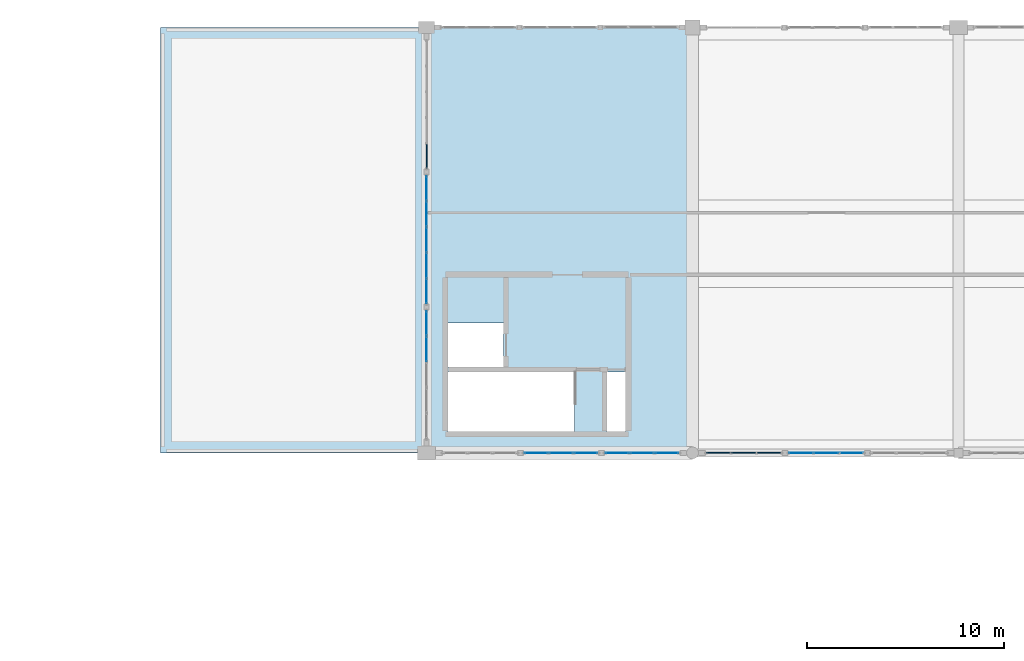
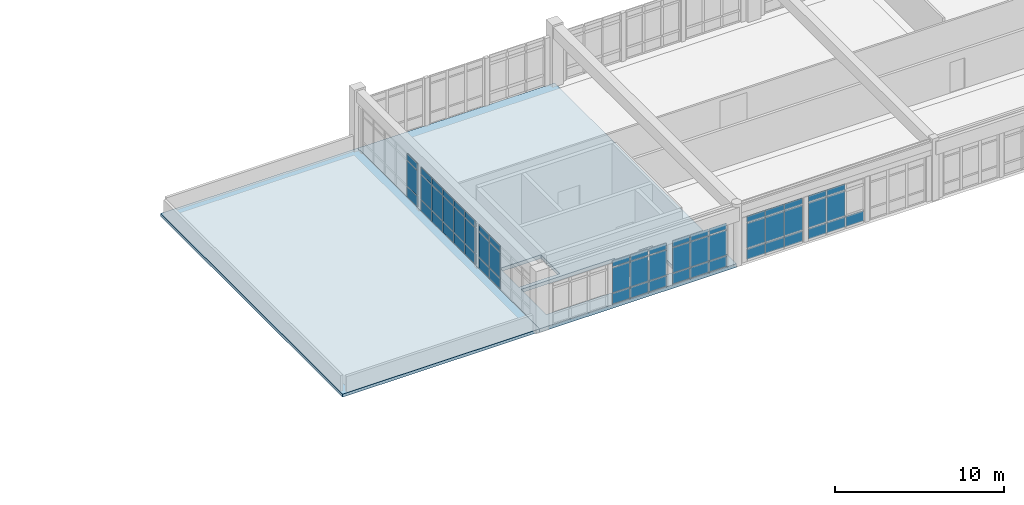
# One storey, part 76 of 109: 58 plates, 2 slabs, 7 elements without a shape of their own.
"""IFC4 building model written with IfcOpenShell, lengths in metres."""

import ifcopenshell
import ifcopenshell.guid

model = None  # the IFC model being written
_history = None  # IfcOwnerHistory: only IFC2X3 demands one
_inside = {}  # id of a spatial element -> (the spatial element, [elements in it])
_under = {}  # id of a project, library or spatial element -> (it, [spatial elements below it])
_declared = {}  # id of a project -> (the project, [libraries it declares])
_typed = {}  # id of a type object -> (the type object, [elements of that type])
_made_of = {}  # id of a material, layer set ... -> (it, [elements and type objects made of it])


def new_model(schema):
    """Start an empty IFC model of exactly this schema.

    Asked for "IFC4X3", IfcOpenShell would pick the latest addendum, in which some entities
    have other attributes; the version numbers below select the first issue.
    IFC2X3 requires an IfcOwnerHistory on every rooted entity: one is made here for all.
    """
    global model, _history
    if schema == "IFC4X3":
        model = ifcopenshell.file(schema_version=(4, 3, 0, 0))
    else:
        model = ifcopenshell.file(schema=schema)
    _inside.clear()
    _under.clear()
    _declared.clear()
    _typed.clear()
    _made_of.clear()
    _history = None
    if model.schema == "IFC2X3":
        org = make("IfcOrganization", Name="unknown")
        user = make(
            "IfcPersonAndOrganization",
            ThePerson=make("IfcPerson", FamilyName="unknown"),
            TheOrganization=org,
        )
        app = make(
            "IfcApplication",
            ApplicationDeveloper=org,
            Version="unknown",
            ApplicationFullName="unknown",
            ApplicationIdentifier="unknown",
        )
        _history = make(
            "IfcOwnerHistory",
            OwningUser=user,
            OwningApplication=app,
            ChangeAction="ADDED",
            CreationDate=0,
        )
    return model


def make(cls, **values):
    """One entity of the class cls with the attributes given. An attribute that is None is left unset."""
    return model.create_entity(
        cls, **{name: value for name, value in values.items() if value is not None}
    )


def rooted(cls, **values):
    """An entity with a GlobalId (a new one), such as an element, a storey or a relation."""
    return make(cls, GlobalId=ifcopenshell.guid.new(), OwnerHistory=_history, **values)


def si_unit(unit_type, name, prefix=None):
    """IfcSIUnit, for example si_unit("LENGTHUNIT", "METRE", prefix="MILLI")."""
    return make("IfcSIUnit", UnitType=unit_type, Prefix=prefix, Name=name)


def assignment(units):
    """IfcUnitAssignment: the units of a project."""
    return None if units is None else make("IfcUnitAssignment", Units=units)


def point(xyz):
    """IfcCartesianPoint."""
    return None if xyz is None else make("IfcCartesianPoint", Coordinates=xyz)


def direction(xyz):
    """IfcDirection."""
    return None if xyz is None else make("IfcDirection", DirectionRatios=xyz)


def frame(location, z_axis=None, x_axis=None):
    """IfcAxis2Placement3D, a coordinate frame: its origin and axes. An axis left out is left unset."""
    return make(
        "IfcAxis2Placement3D",
        Location=point(location),
        Axis=direction(z_axis),
        RefDirection=direction(x_axis),
    )


def frame_2d(location, x_axis=None):
    """IfcAxis2Placement2D, a coordinate frame in the plane: its origin and x axis."""
    return make(
        "IfcAxis2Placement2D", Location=point(location), RefDirection=direction(x_axis)
    )


def origin():
    """The frame at (0, 0, 0) with its axes left unset."""
    return frame((0.0, 0.0, 0.0))


def origin_2d():
    """The frame at (0, 0) in the plane with its x axis left unset."""
    return frame_2d((0.0, 0.0))


def place(relative_to, where):
    """IfcLocalPlacement: puts the frame where relative to a parent placement (None: the world)."""
    return make(
        "IfcLocalPlacement", PlacementRelTo=relative_to, RelativePlacement=where
    )


def context(
    kind, dimensions, precision=None, world=None, true_north=None, identifier=None
):
    """IfcGeometricRepresentationContext, for example the 3D "Model" context."""
    return make(
        "IfcGeometricRepresentationContext",
        ContextIdentifier=identifier,
        ContextType=kind,
        CoordinateSpaceDimension=dimensions,
        Precision=precision,
        WorldCoordinateSystem=world,
        TrueNorth=true_north,
    )


def subcontext(parent, identifier, kind, view, scale=None):
    """IfcGeometricRepresentationSubContext, for example "Body" below "Model"."""
    return make(
        "IfcGeometricRepresentationSubContext",
        ContextIdentifier=identifier,
        ContextType=kind,
        ParentContext=parent,
        TargetScale=scale,
        TargetView=view,
    )


def project(units=None, contexts=None):
    """IfcProject with its units and contexts."""
    return rooted(
        "IfcProject",
        Name="project",
        RepresentationContexts=contexts,
        UnitsInContext=assignment(units),
    )


def spatial(cls, under=None, at=None, **own):
    """A site, building, storey or space (cls), placed at a placement, below another one or the project."""
    s = rooted(cls, ObjectPlacement=at, **own)
    if under is not None:
        _under.setdefault(under.id(), (under, []))[1].append(s)
    return s


def polyline(points):
    """IfcPolyline through the points."""
    return make("IfcPolyline", Points=[point(p) for p in points])


def profile(cls, at=None, kind="AREA", **sizes):
    """A parametric profile (cls). Its sizes go by their IFC names, for example OverallWidth=200.0."""
    return make(cls, ProfileType=kind, Position=at, **sizes)


def rectangle(**sizes):
    """IfcRectangleProfileDef."""
    return profile("IfcRectangleProfileDef", **sizes)


def outline(outer, holes=None, kind="AREA"):
    """IfcArbitraryClosedProfileDef: a profile drawn as a closed curve; with holes, ...WithVoids."""
    if holes is None:
        return make("IfcArbitraryClosedProfileDef", ProfileType=kind, OuterCurve=outer)
    return make(
        "IfcArbitraryProfileDefWithVoids",
        ProfileType=kind,
        OuterCurve=outer,
        InnerCurves=holes,
    )


def extrude(swept, where, along, depth):
    """IfcExtrudedAreaSolid: the profile swept, set in the frame where, extruded along a direction by depth."""
    return make(
        "IfcExtrudedAreaSolid",
        SweptArea=swept,
        Position=where,
        ExtrudedDirection=direction(along),
        Depth=depth,
    )


def shape(context_of_items, identifier, shape_type, items):
    """IfcShapeRepresentation: the items that make up one representation, for example the "Body"."""
    return make(
        "IfcShapeRepresentation",
        ContextOfItems=context_of_items,
        RepresentationIdentifier=identifier,
        RepresentationType=shape_type,
        Items=items,
    )


def material(Name=None, Category=None):
    """IfcMaterial."""
    return make("IfcMaterial", Name=Name, Category=Category)


def layer(
    of_material, thickness, ventilated=None, Name=None, Category=None, Priority=None
):
    """IfcMaterialLayer: one layer of a wall or slab, of a material (None: an air gap)."""
    return make(
        "IfcMaterialLayer",
        Material=of_material,
        LayerThickness=thickness,
        IsVentilated=ventilated,
        Name=Name,
        Category=Category,
        Priority=Priority,
    )


def layer_set(layers, Name=None):
    """IfcMaterialLayerSet."""
    return make("IfcMaterialLayerSet", MaterialLayers=layers, LayerSetName=Name)


def made_of(thing, what):
    """Note that an element or type object is made of a material, layer set ...; save() writes the relation."""
    if what is not None:
        _made_of.setdefault(what.id(), (what, []))[1].append(thing)
    return thing


def type_object(cls, material=None, **own):
    """A type object (cls), such as IfcWallType, which elements share."""
    return made_of(rooted(cls, **own), material)


def element(
    cls,
    number,
    at=None,
    inside=None,
    cuts=None,
    type_object=None,
    material=None,
    context=None,
    identifier="Body",
    shape_type=None,
    held_by="IfcProductDefinitionShape",
    body=None,
    shapes=None,
    **own,
):
    """One element of the class cls, such as IfcWall. Its Tag is "e" and its number.

    at: its placement. inside: the storey or other place that contains it. cuts: it is an
    opening in that element (IfcRelVoidsElement). A single representation is given by context,
    identifier, shape_type and body (its items); several are given by shapes. held_by: the class
    of the entity that holds the representations. save() writes the other relations.
    """
    e = rooted(cls, Tag="e%d" % number, ObjectPlacement=at, **own)
    if body is not None:
        shapes = [shape(context, identifier, shape_type, body)]
    if shapes is not None:
        e.Representation = make(held_by, Representations=shapes)
    if inside is not None:
        _inside.setdefault(inside.id(), (inside, []))[1].append(e)
    if cuts is not None:
        rooted(
            "IfcRelVoidsElement", RelatingBuildingElement=cuts, RelatedOpeningElement=e
        )
    if type_object is not None:
        _typed.setdefault(type_object.id(), (type_object, []))[1].append(e)
    return made_of(e, material)


def aggregate(whole, parts):
    """IfcRelAggregates: a whole, such as a stair, and the parts it consists of."""
    return rooted("IfcRelAggregates", RelatingObject=whole, RelatedObjects=parts)


def save(model, path):
    """Write the relations noted so far, then the file.

    IfcRelAggregates (storeys below a building ...), IfcRelContainedInSpatialStructure (elements
    in a storey), IfcRelDefinesByType, IfcRelAssociatesMaterial and IfcRelDeclares: one each for
    every whole, place, type object, material and project.
    """
    for whole, parts in _under.values():
        aggregate(whole, parts)
    for where, things in _inside.values():
        rooted(
            "IfcRelContainedInSpatialStructure",
            RelatedElements=things,
            RelatingStructure=where,
        )
    for kind, things in _typed.values():
        rooted("IfcRelDefinesByType", RelatedObjects=things, RelatingType=kind)
    for what, things in _made_of.values():
        rooted("IfcRelAssociatesMaterial", RelatedObjects=things, RelatingMaterial=what)
    for by, libraries in _declared.values():
        rooted("IfcRelDeclares", RelatingContext=by, RelatedDefinitions=libraries)
    model.write(path)


model = new_model("IFC4")

# Units and contexts
model_context = context("Model", 3, precision=1e-05, world=origin(), true_north=direction((0.0, 1.0)))
body_context = subcontext(model_context, "Body", "Model", "MODEL_VIEW")
ifc_project = project(units=[si_unit("LENGTHUNIT", "METRE"), si_unit("AREAUNIT", "SQUARE_METRE"), si_unit("VOLUMEUNIT", "CUBIC_METRE"), si_unit("PLANEANGLEUNIT", "RADIAN"), si_unit("MASSUNIT", "GRAM", prefix="KILO")], contexts=[model_context])

# Site, building, storey
site_placement = place(None, origin())
site = spatial("IfcSite", under=ifc_project, at=site_placement, CompositionType="ELEMENT")
building_placement = place(site_placement, origin())
building = spatial("IfcBuilding", under=site, at=building_placement, Name="Fikremerkos Civic Library", CompositionType="ELEMENT")
storey_placement = place(building_placement, frame((0.0, 0.0, 5.39990234375)))
storey = spatial("IfcBuildingStorey", under=building, at=storey_placement, Name="L01", CompositionType="ELEMENT", Elevation=5.39990234375)

# Curtain wall, plates
ifc_material_1 = material(Name="Anodized aluminium Frame", Category="aluminium")
ifc_layer_1 = layer(ifc_material_1, 0.159912109375, Name="Anodized aluminium Frame")
ifc_layer_set_1 = layer_set([ifc_layer_1], Name="Anodized aluminium Frame")
curtain_wall_type_1 = type_object("IfcCurtainWallType", Name="Unitised curtain wall CW-17 4600x3600", PredefinedType="USERDEFINED", material=ifc_layer_set_1)
curtain_wall_1_placement = place(storey_placement, origin())
curtain_wall_1 = element("IfcCurtainWall", 1, at=curtain_wall_1_placement, inside=storey, type_object=curtain_wall_type_1, Name="Unitised curtain wall CW-17 L01 #125", ObjectType="UNITISED CURTAIN WALL", PredefinedType="USERDEFINED")
ifc_material_2 = material(Name="Solar control double glazing", Category="glass")
ifc_layer_2 = layer(ifc_material_2, 0.028076171875, Name="Solar control double glazing")
ifc_layer_set_2 = layer_set([ifc_layer_2], Name="Solar control double glazing")
plate_type_1 = type_object("IfcPlateType", Name="Curtain glazing panel CWP-01 28", PredefinedType="CURTAIN_PANEL", material=ifc_layer_set_2)
plate_1_placement = place(storey_placement, frame((85.3994140625, 96.0, 0.070068359375), z_axis=(0.0, 0.0, 1.0), x_axis=(-1.0, 0.0, 0.0)))
plate_1 = element("IfcPlate", 2, at=plate_1_placement, type_object=plate_type_1, Name="CW-17 panel 1.1", PredefinedType="CURTAIN_PANEL", context=body_context, shape_type="SweptSolid", body=[
    extrude(rectangle(XDim=1.175048828125, YDim=0.028076171875, at=origin_2d()), origin(), (0.0, 0.0, 1.0), 0.7451171875),
])
plate_2_placement = place(storey_placement, frame((85.3994140625, 96.0, 0.88525390625), z_axis=(0.0, 0.0, 1.0), x_axis=(-1.0, 0.0, 0.0)))
plate_2 = element("IfcPlate", 3, at=plate_2_placement, type_object=plate_type_1, Name="CW-17 panel 1.2", PredefinedType="CURTAIN_PANEL", context=body_context, shape_type="SweptSolid", body=[
    extrude(rectangle(XDim=1.175048828125, YDim=0.028076171875, at=origin_2d()), origin(), (0.0, 0.0, 1.0), 1.800048828125),
])
plate_3_placement = place(storey_placement, frame((85.3994140625, 96.0, 2.7548828125), z_axis=(0.0, 0.0, 1.0), x_axis=(-1.0, 0.0, 0.0)))
plate_3 = element("IfcPlate", 4, at=plate_3_placement, type_object=plate_type_1, Name="CW-17 panel 1.3", PredefinedType="CURTAIN_PANEL", context=body_context, shape_type="SweptSolid", body=[
    extrude(rectangle(XDim=1.175048828125, YDim=0.028076171875, at=origin_2d()), origin(), (0.0, 0.0, 1.0), 0.445068359375),
])
plate_4_placement = place(storey_placement, frame((84.14306640625, 96.0, 0.070068359375), z_axis=(0.0, 0.0, 1.0), x_axis=(-1.0, 0.0, 0.0)))
plate_4 = element("IfcPlate", 5, at=plate_4_placement, type_object=plate_type_1, Name="CW-17 panel 2.1", PredefinedType="CURTAIN_PANEL", context=body_context, shape_type="SweptSolid", body=[
    extrude(rectangle(XDim=1.207763671875, YDim=0.028076171875, at=origin_2d()), origin(), (0.0, 0.0, 1.0), 0.7451171875),
])
plate_5_placement = place(storey_placement, frame((84.14306640625, 96.0, 0.88525390625), z_axis=(0.0, 0.0, 1.0), x_axis=(-1.0, 0.0, 0.0)))
plate_5 = element("IfcPlate", 6, at=plate_5_placement, type_object=plate_type_1, Name="CW-17 panel 2.2", PredefinedType="CURTAIN_PANEL", context=body_context, shape_type="SweptSolid", body=[
    extrude(rectangle(XDim=1.207763671875, YDim=0.028076171875, at=origin_2d()), origin(), (0.0, 0.0, 1.0), 1.800048828125),
])
plate_6_placement = place(storey_placement, frame((84.14306640625, 96.0, 2.7548828125), z_axis=(0.0, 0.0, 1.0), x_axis=(-1.0, 0.0, 0.0)))
plate_6 = element("IfcPlate", 7, at=plate_6_placement, type_object=plate_type_1, Name="CW-17 panel 2.3", PredefinedType="CURTAIN_PANEL", context=body_context, shape_type="SweptSolid", body=[
    extrude(rectangle(XDim=1.207763671875, YDim=0.028076171875, at=origin_2d()), origin(), (0.0, 0.0, 1.0), 0.445068359375),
])
plate_7_placement = place(storey_placement, frame((82.886474609375, 96.0, 0.070068359375), z_axis=(0.0, 0.0, 1.0), x_axis=(-1.0, 0.0, 0.0)))
plate_7 = element("IfcPlate", 8, at=plate_7_placement, type_object=plate_type_1, Name="CW-17 panel 3.1", PredefinedType="CURTAIN_PANEL", context=body_context, shape_type="SweptSolid", body=[
    extrude(rectangle(XDim=1.175048828125, YDim=0.028076171875, at=origin_2d()), origin(), (0.0, 0.0, 1.0), 0.7451171875),
])
plate_8_placement = place(storey_placement, frame((82.886474609375, 96.0, 0.88525390625), z_axis=(0.0, 0.0, 1.0), x_axis=(-1.0, 0.0, 0.0)))
plate_8 = element("IfcPlate", 9, at=plate_8_placement, type_object=plate_type_1, Name="CW-17 panel 3.2", PredefinedType="CURTAIN_PANEL", context=body_context, shape_type="SweptSolid", body=[
    extrude(rectangle(XDim=1.175048828125, YDim=0.028076171875, at=origin_2d()), origin(), (0.0, 0.0, 1.0), 1.800048828125),
])
plate_9_placement = place(storey_placement, frame((82.886474609375, 96.0, 2.7548828125), z_axis=(0.0, 0.0, 1.0), x_axis=(-1.0, 0.0, 0.0)))
plate_9 = element("IfcPlate", 10, at=plate_9_placement, type_object=plate_type_1, Name="CW-17 panel 3.3", PredefinedType="CURTAIN_PANEL", context=body_context, shape_type="SweptSolid", body=[
    extrude(rectangle(XDim=1.175048828125, YDim=0.028076171875, at=origin_2d()), origin(), (0.0, 0.0, 1.0), 0.445068359375),
])
aggregate(curtain_wall_1, [plate_1, plate_2, plate_3, plate_4, plate_5, plate_6, plate_7, plate_8, plate_9])

ifc_layer_3 = layer(ifc_material_1, 0.159912109375, Name="Anodized aluminium Frame")
ifc_layer_set_3 = layer_set([ifc_layer_3], Name="Anodized aluminium Frame")
curtain_wall_type_2 = type_object("IfcCurtainWallType", Name="Unitised curtain wall CW-18 2700x3400", PredefinedType="USERDEFINED", material=ifc_layer_set_3)
curtain_wall_2_placement = place(storey_placement, origin())
curtain_wall_2 = element("IfcCurtainWall", 11, at=curtain_wall_2_placement, inside=storey, type_object=curtain_wall_type_2, Name="Unitised curtain wall CW-18 L01 #126", ObjectType="UNITISED CURTAIN WALL", PredefinedType="USERDEFINED")
ifc_layer_4 = layer(ifc_material_2, 0.035888671875, Name="Solar control double glazing")
ifc_layer_set_4 = layer_set([ifc_layer_4], Name="Solar control double glazing")
plate_type_2 = type_object("IfcPlateType", Name="Curtain glazing panel CWP-02 36", PredefinedType="CURTAIN_PANEL", material=ifc_layer_set_4)
plate_10_placement = place(storey_placement, frame((81.28271484375, 96.0, 0.070068359375), z_axis=(0.0, 0.0, 1.0), x_axis=(-1.0, 0.0, 0.0)))
plate_10 = element("IfcPlate", 12, at=plate_10_placement, type_object=plate_type_2, Name="CW-18 panel 1.1", PredefinedType="CURTAIN_PANEL", context=body_context, shape_type="SweptSolid", body=[
    extrude(rectangle(XDim=1.1826171875, YDim=0.035888671875, at=origin_2d()), origin(), (0.0, 0.0, 1.0), 0.7451171875),
])
plate_11_placement = place(storey_placement, frame((81.28271484375, 96.0, 0.88525390625), z_axis=(0.0, 0.0, 1.0), x_axis=(-1.0, 0.0, 0.0)))
plate_11 = element("IfcPlate", 13, at=plate_11_placement, type_object=plate_type_2, Name="CW-18 panel 1.2", PredefinedType="CURTAIN_PANEL", context=body_context, shape_type="SweptSolid", body=[
    extrude(rectangle(XDim=1.1826171875, YDim=0.035888671875, at=origin_2d()), origin(), (0.0, 0.0, 1.0), 1.800048828125),
])
plate_12_placement = place(storey_placement, frame((81.28271484375, 96.0, 2.7548828125), z_axis=(0.0, 0.0, 1.0), x_axis=(-1.0, 0.0, 0.0)))
plate_12 = element("IfcPlate", 14, at=plate_12_placement, type_object=plate_type_2, Name="CW-18 panel 1.3", PredefinedType="CURTAIN_PANEL", context=body_context, shape_type="SweptSolid", body=[
    extrude(rectangle(XDim=1.1826171875, YDim=0.035888671875, at=origin_2d()), origin(), (0.0, 0.0, 1.0), 0.445068359375),
])
plate_13_placement = place(storey_placement, frame((80.02490234375, 96.0, 0.070068359375), z_axis=(0.0, 0.0, 1.0), x_axis=(-1.0, 0.0, 0.0)))
plate_13 = element("IfcPlate", 15, at=plate_13_placement, type_object=plate_type_2, Name="CW-18 panel 2.1", PredefinedType="CURTAIN_PANEL", context=body_context, shape_type="SweptSolid", body=[
    extrude(rectangle(XDim=1.212646484375, YDim=0.035888671875, at=origin_2d()), origin(), (0.0, 0.0, 1.0), 0.7451171875),
])
plate_14_placement = place(storey_placement, frame((80.02490234375, 96.0, 0.88525390625), z_axis=(0.0, 0.0, 1.0), x_axis=(-1.0, 0.0, 0.0)))
plate_14 = element("IfcPlate", 16, at=plate_14_placement, type_object=plate_type_2, Name="CW-18 panel 2.2", PredefinedType="CURTAIN_PANEL", context=body_context, shape_type="SweptSolid", body=[
    extrude(rectangle(XDim=1.212646484375, YDim=0.035888671875, at=origin_2d()), origin(), (0.0, 0.0, 1.0), 1.800048828125),
])
plate_15_placement = place(storey_placement, frame((80.02490234375, 96.0, 2.7548828125), z_axis=(0.0, 0.0, 1.0), x_axis=(-1.0, 0.0, 0.0)))
plate_15 = element("IfcPlate", 17, at=plate_15_placement, type_object=plate_type_2, Name="CW-18 panel 2.3", PredefinedType="CURTAIN_PANEL", context=body_context, shape_type="SweptSolid", body=[
    extrude(rectangle(XDim=1.212646484375, YDim=0.035888671875, at=origin_2d()), origin(), (0.0, 0.0, 1.0), 0.445068359375),
])
plate_16_placement = place(storey_placement, frame((78.767333984375, 96.0, 0.070068359375), z_axis=(0.0, 0.0, 1.0), x_axis=(-1.0, 0.0, 0.0)))
plate_16 = element("IfcPlate", 18, at=plate_16_placement, type_object=plate_type_2, Name="CW-18 panel 3.1", PredefinedType="CURTAIN_PANEL", context=body_context, shape_type="SweptSolid", body=[
    extrude(rectangle(XDim=1.1826171875, YDim=0.035888671875, at=origin_2d()), origin(), (0.0, 0.0, 1.0), 0.7451171875),
])
plate_17_placement = place(storey_placement, frame((78.767333984375, 96.0, 0.88525390625), z_axis=(0.0, 0.0, 1.0), x_axis=(-1.0, 0.0, 0.0)))
plate_17 = element("IfcPlate", 19, at=plate_17_placement, type_object=plate_type_2, Name="CW-18 panel 3.2", PredefinedType="CURTAIN_PANEL", context=body_context, shape_type="SweptSolid", body=[
    extrude(rectangle(XDim=1.1826171875, YDim=0.035888671875, at=origin_2d()), origin(), (0.0, 0.0, 1.0), 1.800048828125),
])
plate_18_placement = place(storey_placement, frame((78.767333984375, 96.0, 2.7548828125), z_axis=(0.0, 0.0, 1.0), x_axis=(-1.0, 0.0, 0.0)))
plate_18 = element("IfcPlate", 20, at=plate_18_placement, type_object=plate_type_2, Name="CW-18 panel 3.3", PredefinedType="CURTAIN_PANEL", context=body_context, shape_type="SweptSolid", body=[
    extrude(rectangle(XDim=1.1826171875, YDim=0.035888671875, at=origin_2d()), origin(), (0.0, 0.0, 1.0), 0.445068359375),
])
aggregate(curtain_wall_2, [plate_10, plate_11, plate_12, plate_13, plate_14, plate_15, plate_16, plate_17, plate_18])

ifc_layer_5 = layer(ifc_material_1, 0.159912109375, Name="Anodized aluminium Frame")
ifc_layer_set_5 = layer_set([ifc_layer_5], Name="Anodized aluminium Frame")
curtain_wall_type_3 = type_object("IfcCurtainWallType", Name="Unitised curtain wall CW-02 3900x3600", PredefinedType="USERDEFINED", material=ifc_layer_set_5)
curtain_wall_3_placement = place(storey_placement, origin())
curtain_wall_3 = element("IfcCurtainWall", 21, at=curtain_wall_3_placement, inside=storey, type_object=curtain_wall_type_3, Name="Unitised curtain wall CW-02 L01 #128", ObjectType="UNITISED CURTAIN WALL", PredefinedType="USERDEFINED")
plate_19_placement = place(storey_placement, frame((73.199951171875, 101.283935546875, 0.070068359375), z_axis=(0.0, 0.0, 1.0), x_axis=(0.0, 1.0, 0.0)))
plate_19 = element("IfcPlate", 22, at=plate_19_placement, type_object=plate_type_2, Name="CW-02 panel 4.1", PredefinedType="CURTAIN_PANEL", context=body_context, shape_type="SweptSolid", body=[
    extrude(rectangle(XDim=1.250244140625, YDim=0.035888671875, at=origin_2d()), origin(), (0.0, 0.0, 1.0), 0.7451171875),
])
plate_20_placement = place(storey_placement, frame((73.199951171875, 101.283935546875, 0.88525390625), z_axis=(0.0, 0.0, 1.0), x_axis=(0.0, 1.0, 0.0)))
plate_20 = element("IfcPlate", 23, at=plate_20_placement, type_object=plate_type_2, Name="CW-02 panel 4.2", PredefinedType="CURTAIN_PANEL", context=body_context, shape_type="SweptSolid", body=[
    extrude(rectangle(XDim=1.250244140625, YDim=0.035888671875, at=origin_2d()), origin(), (0.0, 0.0, 1.0), 1.800048828125),
])
plate_21_placement = place(storey_placement, frame((73.199951171875, 101.283935546875, 2.7548828125), z_axis=(0.0, 0.0, 1.0), x_axis=(0.0, 1.0, 0.0)))
plate_21 = element("IfcPlate", 24, at=plate_21_placement, type_object=plate_type_2, Name="CW-02 panel 4.3", PredefinedType="CURTAIN_PANEL", context=body_context, shape_type="SweptSolid", body=[
    extrude(rectangle(XDim=1.250244140625, YDim=0.035888671875, at=origin_2d()), origin(), (0.0, 0.0, 1.0), 0.445068359375),
])
plate_22_placement = place(storey_placement, frame((73.199951171875, 102.5791015625, 0.070068359375), z_axis=(0.0, 0.0, 1.0), x_axis=(0.0, 1.0, 0.0)))
plate_22 = element("IfcPlate", 25, at=plate_22_placement, type_object=plate_type_2, Name="CW-02 panel 5.1", PredefinedType="CURTAIN_PANEL", context=body_context, shape_type="SweptSolid", body=[
    extrude(rectangle(XDim=1.22021484375, YDim=0.035888671875, at=origin_2d()), origin(), (0.0, 0.0, 1.0), 0.7451171875),
])
plate_23_placement = place(storey_placement, frame((73.199951171875, 102.5791015625, 0.88525390625), z_axis=(0.0, 0.0, 1.0), x_axis=(0.0, 1.0, 0.0)))
plate_23 = element("IfcPlate", 26, at=plate_23_placement, type_object=plate_type_2, Name="CW-02 panel 5.2", PredefinedType="CURTAIN_PANEL", context=body_context, shape_type="SweptSolid", body=[
    extrude(rectangle(XDim=1.22021484375, YDim=0.035888671875, at=origin_2d()), origin(), (0.0, 0.0, 1.0), 1.800048828125),
])
plate_24_placement = place(storey_placement, frame((73.199951171875, 102.5791015625, 2.7548828125), z_axis=(0.0, 0.0, 1.0), x_axis=(0.0, 1.0, 0.0)))
plate_24 = element("IfcPlate", 27, at=plate_24_placement, type_object=plate_type_2, Name="CW-02 panel 5.3", PredefinedType="CURTAIN_PANEL", context=body_context, shape_type="SweptSolid", body=[
    extrude(rectangle(XDim=1.22021484375, YDim=0.035888671875, at=origin_2d()), origin(), (0.0, 0.0, 1.0), 0.445068359375),
])
aggregate(curtain_wall_3, [plate_19, plate_20, plate_21, plate_22, plate_23, plate_24])

ifc_layer_6 = layer(ifc_material_1, 0.159912109375, Name="Anodized aluminium Frame")
ifc_layer_set_6 = layer_set([ifc_layer_6], Name="Anodized aluminium Frame")
curtain_wall_type_4 = type_object("IfcCurtainWallType", Name="Unitised curtain wall CW-15 2900x3600", PredefinedType="USERDEFINED", material=ifc_layer_set_6)
curtain_wall_4_placement = place(storey_placement, origin())
curtain_wall_4 = element("IfcCurtainWall", 28, at=curtain_wall_4_placement, inside=storey, type_object=curtain_wall_type_4, Name="Unitised curtain wall CW-15 L01 #123", ObjectType="UNITISED CURTAIN WALL", PredefinedType="USERDEFINED")
ifc_material_3 = material(Name="Insulated aluminium spandrel", Category="aluminium")
ifc_layer_7 = layer(ifc_material_3, 0.044921875, Name="Insulated aluminium spandrel")
ifc_layer_set_7 = layer_set([ifc_layer_7], Name="Insulated aluminium spandrel")
plate_type_3 = type_object("IfcPlateType", Name="Curtain spandrel panel CSP-01 45", PredefinedType="CURTAIN_PANEL", material=ifc_layer_set_7)
plate_25_placement = place(storey_placement, frame((94.770263671875, 96.0, 0.070068359375), z_axis=(0.0, 0.0, 1.0), x_axis=(-1.0, 0.0, 0.0)))
plate_25 = element("IfcPlate", 29, at=plate_25_placement, type_object=plate_type_3, Name="CW-15 panel 1.1", PredefinedType="CURTAIN_PANEL", context=body_context, shape_type="SweptSolid", body=[
    extrude(rectangle(XDim=1.207763671875, YDim=0.044921875, at=origin_2d()), origin(), (0.0, 0.0, 1.0), 0.7451171875),
])
plate_26_placement = place(storey_placement, frame((93.487548828125, 96.0, 0.070068359375), z_axis=(0.0, 0.0, 1.0), x_axis=(-1.0, 0.0, 0.0)))
plate_26 = element("IfcPlate", 30, at=plate_26_placement, type_object=plate_type_3, Name="CW-15 panel 2.1", PredefinedType="CURTAIN_PANEL", context=body_context, shape_type="SweptSolid", body=[
    extrude(rectangle(XDim=1.237548828125, YDim=0.044921875, at=origin_2d()), origin(), (0.0, 0.0, 1.0), 0.7451171875),
])
plate_27_placement = place(storey_placement, frame((93.487548828125, 96.0, 0.88525390625), z_axis=(0.0, 0.0, 1.0), x_axis=(-1.0, 0.0, 0.0)))
plate_27 = element("IfcPlate", 31, at=plate_27_placement, type_object=plate_type_3, Name="CW-15 panel 2.2", PredefinedType="CURTAIN_PANEL", context=body_context, shape_type="SweptSolid", body=[
    extrude(rectangle(XDim=1.237548828125, YDim=0.044921875, at=origin_2d()), origin(), (0.0, 0.0, 1.0), 1.800048828125),
])
plate_28_placement = place(storey_placement, frame((93.487548828125, 96.0, 2.7548828125), z_axis=(0.0, 0.0, 1.0), x_axis=(-1.0, 0.0, 0.0)))
plate_28 = element("IfcPlate", 32, at=plate_28_placement, type_object=plate_type_3, Name="CW-15 panel 2.3", PredefinedType="CURTAIN_PANEL", context=body_context, shape_type="SweptSolid", body=[
    extrude(rectangle(XDim=1.237548828125, YDim=0.044921875, at=origin_2d()), origin(), (0.0, 0.0, 1.0), 0.445068359375),
])
plate_29_placement = place(storey_placement, frame((92.204833984375, 96.0, 0.070068359375), z_axis=(0.0, 0.0, 1.0), x_axis=(-1.0, 0.0, 0.0)))
plate_29 = element("IfcPlate", 33, at=plate_29_placement, type_object=plate_type_3, Name="CW-15 panel 3.1", PredefinedType="CURTAIN_PANEL", context=body_context, shape_type="SweptSolid", body=[
    extrude(rectangle(XDim=1.207763671875, YDim=0.044921875, at=origin_2d()), origin(), (0.0, 0.0, 1.0), 0.7451171875),
])
plate_30_placement = place(storey_placement, frame((92.204833984375, 96.0, 0.88525390625), z_axis=(0.0, 0.0, 1.0), x_axis=(-1.0, 0.0, 0.0)))
plate_30 = element("IfcPlate", 34, at=plate_30_placement, type_object=plate_type_3, Name="CW-15 panel 3.2", PredefinedType="CURTAIN_PANEL", context=body_context, shape_type="SweptSolid", body=[
    extrude(rectangle(XDim=1.207763671875, YDim=0.044921875, at=origin_2d()), origin(), (0.0, 0.0, 1.0), 1.800048828125),
])
plate_31_placement = place(storey_placement, frame((92.204833984375, 96.0, 2.7548828125), z_axis=(0.0, 0.0, 1.0), x_axis=(-1.0, 0.0, 0.0)))
plate_31 = element("IfcPlate", 35, at=plate_31_placement, type_object=plate_type_3, Name="CW-15 panel 3.3", PredefinedType="CURTAIN_PANEL", context=body_context, shape_type="SweptSolid", body=[
    extrude(rectangle(XDim=1.207763671875, YDim=0.044921875, at=origin_2d()), origin(), (0.0, 0.0, 1.0), 0.445068359375),
])
aggregate(curtain_wall_4, [plate_25, plate_26, plate_27, plate_28, plate_29, plate_30, plate_31])

ifc_layer_8 = layer(ifc_material_1, 0.159912109375, Name="Anodized aluminium Frame")
ifc_layer_set_8 = layer_set([ifc_layer_8], Name="Anodized aluminium Frame")
curtain_wall_type_5 = type_object("IfcCurtainWallType", Name="Unitised curtain wall CW-03 4100x3600", PredefinedType="USERDEFINED", material=ifc_layer_set_8)
curtain_wall_5_placement = place(storey_placement, origin())
curtain_wall_5 = element("IfcCurtainWall", 36, at=curtain_wall_5_placement, inside=storey, type_object=curtain_wall_type_5, Name="Unitised curtain wall CW-03 L01 #129", ObjectType="UNITISED CURTAIN WALL", PredefinedType="USERDEFINED")
plate_32_placement = place(storey_placement, frame((73.199951171875, 104.219482421875, 0.065185546875), z_axis=(0.0, 0.0, 1.0), x_axis=(0.0, 1.0, 0.0)))
plate_32 = element("IfcPlate", 37, at=plate_32_placement, type_object=plate_type_3, Name="CW-03 panel 1.1", PredefinedType="CURTAIN_PANEL", context=body_context, shape_type="SweptSolid", body=[
    extrude(rectangle(XDim=1.22021484375, YDim=0.044921875, at=origin_2d()), origin(), (0.0, 0.0, 1.0), 0.75244140625),
])
plate_33_placement = place(storey_placement, frame((73.199951171875, 104.219482421875, 0.8828125), z_axis=(0.0, 0.0, 1.0), x_axis=(0.0, 1.0, 0.0)))
plate_33 = element("IfcPlate", 38, at=plate_33_placement, type_object=plate_type_3, Name="CW-03 panel 1.2", PredefinedType="CURTAIN_PANEL", context=body_context, shape_type="SweptSolid", body=[
    extrude(rectangle(XDim=1.22021484375, YDim=0.044921875, at=origin_2d()), origin(), (0.0, 0.0, 1.0), 1.804931640625),
])
plate_34_placement = place(storey_placement, frame((73.199951171875, 104.219482421875, 2.75244140625), z_axis=(0.0, 0.0, 1.0), x_axis=(0.0, 1.0, 0.0)))
plate_34 = element("IfcPlate", 39, at=plate_34_placement, type_object=plate_type_3, Name="CW-03 panel 1.3", PredefinedType="CURTAIN_PANEL", context=body_context, shape_type="SweptSolid", body=[
    extrude(rectangle(XDim=1.22021484375, YDim=0.044921875, at=origin_2d()), origin(), (0.0, 0.0, 1.0), 0.452392578125),
])
plate_35_placement = place(storey_placement, frame((73.199951171875, 105.5146484375, 0.065185546875), z_axis=(0.0, 0.0, 1.0), x_axis=(0.0, 1.0, 0.0)))
plate_35 = element("IfcPlate", 40, at=plate_35_placement, type_object=plate_type_3, Name="CW-03 panel 2.1", PredefinedType="CURTAIN_PANEL", context=body_context, shape_type="SweptSolid", body=[
    extrude(rectangle(XDim=1.250244140625, YDim=0.044921875, at=origin_2d()), origin(), (0.0, 0.0, 1.0), 0.75244140625),
])
plate_36_placement = place(storey_placement, frame((73.199951171875, 105.5146484375, 0.8828125), z_axis=(0.0, 0.0, 1.0), x_axis=(0.0, 1.0, 0.0)))
plate_36 = element("IfcPlate", 41, at=plate_36_placement, type_object=plate_type_3, Name="CW-03 panel 2.2", PredefinedType="CURTAIN_PANEL", context=body_context, shape_type="SweptSolid", body=[
    extrude(rectangle(XDim=1.250244140625, YDim=0.044921875, at=origin_2d()), origin(), (0.0, 0.0, 1.0), 1.804931640625),
])
plate_37_placement = place(storey_placement, frame((73.199951171875, 105.5146484375, 2.75244140625), z_axis=(0.0, 0.0, 1.0), x_axis=(0.0, 1.0, 0.0)))
plate_37 = element("IfcPlate", 42, at=plate_37_placement, type_object=plate_type_3, Name="CW-03 panel 2.3", PredefinedType="CURTAIN_PANEL", context=body_context, shape_type="SweptSolid", body=[
    extrude(rectangle(XDim=1.250244140625, YDim=0.044921875, at=origin_2d()), origin(), (0.0, 0.0, 1.0), 0.452392578125),
])
plate_38_placement = place(storey_placement, frame((73.199951171875, 106.824951171875, 0.065185546875), z_axis=(0.0, 0.0, 1.0), x_axis=(0.0, 1.0, 0.0)))
plate_38 = element("IfcPlate", 43, at=plate_38_placement, type_object=plate_type_3, Name="CW-03 panel 3.1", PredefinedType="CURTAIN_PANEL", context=body_context, shape_type="SweptSolid", body=[
    extrude(rectangle(XDim=1.250244140625, YDim=0.044921875, at=origin_2d()), origin(), (0.0, 0.0, 1.0), 0.75244140625),
])
plate_39_placement = place(storey_placement, frame((73.199951171875, 106.824951171875, 0.8828125), z_axis=(0.0, 0.0, 1.0), x_axis=(0.0, 1.0, 0.0)))
plate_39 = element("IfcPlate", 44, at=plate_39_placement, type_object=plate_type_3, Name="CW-03 panel 3.2", PredefinedType="CURTAIN_PANEL", context=body_context, shape_type="SweptSolid", body=[
    extrude(rectangle(XDim=1.250244140625, YDim=0.044921875, at=origin_2d()), origin(), (0.0, 0.0, 1.0), 1.804931640625),
])
plate_40_placement = place(storey_placement, frame((73.199951171875, 106.824951171875, 2.75244140625), z_axis=(0.0, 0.0, 1.0), x_axis=(0.0, 1.0, 0.0)))
plate_40 = element("IfcPlate", 45, at=plate_40_placement, type_object=plate_type_3, Name="CW-03 panel 3.3", PredefinedType="CURTAIN_PANEL", context=body_context, shape_type="SweptSolid", body=[
    extrude(rectangle(XDim=1.250244140625, YDim=0.044921875, at=origin_2d()), origin(), (0.0, 0.0, 1.0), 0.452392578125),
])
plate_41_placement = place(storey_placement, frame((73.199951171875, 108.13525390625, 0.065185546875), z_axis=(0.0, 0.0, 1.0), x_axis=(0.0, 1.0, 0.0)))
plate_41 = element("IfcPlate", 46, at=plate_41_placement, type_object=plate_type_3, Name="CW-03 panel 4.1", PredefinedType="CURTAIN_PANEL", context=body_context, shape_type="SweptSolid", body=[
    extrude(rectangle(XDim=1.250244140625, YDim=0.044921875, at=origin_2d()), origin(), (0.0, 0.0, 1.0), 0.75244140625),
])
plate_42_placement = place(storey_placement, frame((73.199951171875, 108.13525390625, 0.8828125), z_axis=(0.0, 0.0, 1.0), x_axis=(0.0, 1.0, 0.0)))
plate_42 = element("IfcPlate", 47, at=plate_42_placement, type_object=plate_type_3, Name="CW-03 panel 4.2", PredefinedType="CURTAIN_PANEL", context=body_context, shape_type="SweptSolid", body=[
    extrude(rectangle(XDim=1.250244140625, YDim=0.044921875, at=origin_2d()), origin(), (0.0, 0.0, 1.0), 1.804931640625),
])
plate_43_placement = place(storey_placement, frame((73.199951171875, 108.13525390625, 2.75244140625), z_axis=(0.0, 0.0, 1.0), x_axis=(0.0, 1.0, 0.0)))
plate_43 = element("IfcPlate", 48, at=plate_43_placement, type_object=plate_type_3, Name="CW-03 panel 4.3", PredefinedType="CURTAIN_PANEL", context=body_context, shape_type="SweptSolid", body=[
    extrude(rectangle(XDim=1.250244140625, YDim=0.044921875, at=origin_2d()), origin(), (0.0, 0.0, 1.0), 0.452392578125),
])
plate_44_placement = place(storey_placement, frame((73.199951171875, 109.430419921875, 0.065185546875), z_axis=(0.0, 0.0, 1.0), x_axis=(0.0, 1.0, 0.0)))
plate_44 = element("IfcPlate", 49, at=plate_44_placement, type_object=plate_type_3, Name="CW-03 panel 5.1", PredefinedType="CURTAIN_PANEL", context=body_context, shape_type="SweptSolid", body=[
    extrude(rectangle(XDim=1.22021484375, YDim=0.044921875, at=origin_2d()), origin(), (0.0, 0.0, 1.0), 0.75244140625),
])
plate_45_placement = place(storey_placement, frame((73.199951171875, 109.430419921875, 0.8828125), z_axis=(0.0, 0.0, 1.0), x_axis=(0.0, 1.0, 0.0)))
plate_45 = element("IfcPlate", 50, at=plate_45_placement, type_object=plate_type_3, Name="CW-03 panel 5.2", PredefinedType="CURTAIN_PANEL", context=body_context, shape_type="SweptSolid", body=[
    extrude(rectangle(XDim=1.22021484375, YDim=0.044921875, at=origin_2d()), origin(), (0.0, 0.0, 1.0), 1.804931640625),
])
plate_46_placement = place(storey_placement, frame((73.199951171875, 109.430419921875, 2.75244140625), z_axis=(0.0, 0.0, 1.0), x_axis=(0.0, 1.0, 0.0)))
plate_46 = element("IfcPlate", 51, at=plate_46_placement, type_object=plate_type_3, Name="CW-03 panel 5.3", PredefinedType="CURTAIN_PANEL", context=body_context, shape_type="SweptSolid", body=[
    extrude(rectangle(XDim=1.22021484375, YDim=0.044921875, at=origin_2d()), origin(), (0.0, 0.0, 1.0), 0.452392578125),
])
aggregate(curtain_wall_5, [plate_32, plate_33, plate_34, plate_35, plate_36, plate_37, plate_38, plate_39, plate_40, plate_41, plate_42, plate_43, plate_44, plate_45, plate_46])

ifc_layer_9 = layer(ifc_material_1, 0.159912109375, Name="Anodized aluminium Frame")
ifc_layer_set_9 = layer_set([ifc_layer_9], Name="Anodized aluminium Frame")
curtain_wall_type_6 = type_object("IfcCurtainWallType", Name="Unitised curtain wall CW-16 3100x4100", PredefinedType="USERDEFINED", material=ifc_layer_set_9)
curtain_wall_6_placement = place(storey_placement, origin())
curtain_wall_6 = element("IfcCurtainWall", 52, at=curtain_wall_6_placement, inside=storey, type_object=curtain_wall_type_6, Name="Unitised curtain wall CW-16 L01 #124", ObjectType="UNITISED CURTAIN WALL", PredefinedType="USERDEFINED")
ifc_layer_10 = layer(ifc_material_3, 0.054931640625, Name="Insulated aluminium spandrel")
ifc_layer_set_10 = layer_set([ifc_layer_10], Name="Insulated aluminium spandrel")
plate_type_4 = type_object("IfcPlateType", Name="Curtain spandrel panel CSP-02 55", PredefinedType="CURTAIN_PANEL", material=ifc_layer_set_10)
plate_47_placement = place(storey_placement, frame((90.5771484375, 96.0, 0.070068359375), z_axis=(0.0, 0.0, 1.0), x_axis=(-1.0, 0.0, 0.0)))
plate_47 = element("IfcPlate", 53, at=plate_47_placement, type_object=plate_type_4, Name="CW-16 panel 1.1", PredefinedType="CURTAIN_PANEL", context=body_context, shape_type="SweptSolid", body=[
    extrude(rectangle(XDim=1.207763671875, YDim=0.054931640625, at=origin_2d()), origin(), (0.0, 0.0, 1.0), 0.7451171875),
])
plate_48_placement = place(storey_placement, frame((90.5771484375, 96.0, 0.88525390625), z_axis=(0.0, 0.0, 1.0), x_axis=(-1.0, 0.0, 0.0)))
plate_48 = element("IfcPlate", 54, at=plate_48_placement, type_object=plate_type_4, Name="CW-16 panel 1.2", PredefinedType="CURTAIN_PANEL", context=body_context, shape_type="SweptSolid", body=[
    extrude(rectangle(XDim=1.207763671875, YDim=0.054931640625, at=origin_2d()), origin(), (0.0, 0.0, 1.0), 1.800048828125),
])
plate_49_placement = place(storey_placement, frame((90.5771484375, 96.0, 2.7548828125), z_axis=(0.0, 0.0, 1.0), x_axis=(-1.0, 0.0, 0.0)))
plate_49 = element("IfcPlate", 55, at=plate_49_placement, type_object=plate_type_4, Name="CW-16 panel 1.3", PredefinedType="CURTAIN_PANEL", context=body_context, shape_type="SweptSolid", body=[
    extrude(rectangle(XDim=1.207763671875, YDim=0.054931640625, at=origin_2d()), origin(), (0.0, 0.0, 1.0), 0.445068359375),
])
plate_50_placement = place(storey_placement, frame((89.29443359375, 96.0, 0.070068359375), z_axis=(0.0, 0.0, 1.0), x_axis=(-1.0, 0.0, 0.0)))
plate_50 = element("IfcPlate", 56, at=plate_50_placement, type_object=plate_type_4, Name="CW-16 panel 2.1", PredefinedType="CURTAIN_PANEL", context=body_context, shape_type="SweptSolid", body=[
    extrude(rectangle(XDim=1.237548828125, YDim=0.054931640625, at=origin_2d()), origin(), (0.0, 0.0, 1.0), 0.7451171875),
])
plate_51_placement = place(storey_placement, frame((89.29443359375, 96.0, 0.88525390625), z_axis=(0.0, 0.0, 1.0), x_axis=(-1.0, 0.0, 0.0)))
plate_51 = element("IfcPlate", 57, at=plate_51_placement, type_object=plate_type_4, Name="CW-16 panel 2.2", PredefinedType="CURTAIN_PANEL", context=body_context, shape_type="SweptSolid", body=[
    extrude(rectangle(XDim=1.237548828125, YDim=0.054931640625, at=origin_2d()), origin(), (0.0, 0.0, 1.0), 1.800048828125),
])
plate_52_placement = place(storey_placement, frame((89.29443359375, 96.0, 2.7548828125), z_axis=(0.0, 0.0, 1.0), x_axis=(-1.0, 0.0, 0.0)))
plate_52 = element("IfcPlate", 58, at=plate_52_placement, type_object=plate_type_4, Name="CW-16 panel 2.3", PredefinedType="CURTAIN_PANEL", context=body_context, shape_type="SweptSolid", body=[
    extrude(rectangle(XDim=1.237548828125, YDim=0.054931640625, at=origin_2d()), origin(), (0.0, 0.0, 1.0), 0.445068359375),
])
plate_53_placement = place(storey_placement, frame((88.01171875, 96.0, 0.070068359375), z_axis=(0.0, 0.0, 1.0), x_axis=(-1.0, 0.0, 0.0)))
plate_53 = element("IfcPlate", 59, at=plate_53_placement, type_object=plate_type_4, Name="CW-16 panel 3.1", PredefinedType="CURTAIN_PANEL", context=body_context, shape_type="SweptSolid", body=[
    extrude(rectangle(XDim=1.207763671875, YDim=0.054931640625, at=origin_2d()), origin(), (0.0, 0.0, 1.0), 0.7451171875),
])
plate_54_placement = place(storey_placement, frame((88.01171875, 96.0, 0.88525390625), z_axis=(0.0, 0.0, 1.0), x_axis=(-1.0, 0.0, 0.0)))
plate_54 = element("IfcPlate", 60, at=plate_54_placement, type_object=plate_type_4, Name="CW-16 panel 3.2", PredefinedType="CURTAIN_PANEL", context=body_context, shape_type="SweptSolid", body=[
    extrude(rectangle(XDim=1.207763671875, YDim=0.054931640625, at=origin_2d()), origin(), (0.0, 0.0, 1.0), 1.800048828125),
])
plate_55_placement = place(storey_placement, frame((88.01171875, 96.0, 2.7548828125), z_axis=(0.0, 0.0, 1.0), x_axis=(-1.0, 0.0, 0.0)))
plate_55 = element("IfcPlate", 61, at=plate_55_placement, type_object=plate_type_4, Name="CW-16 panel 3.3", PredefinedType="CURTAIN_PANEL", context=body_context, shape_type="SweptSolid", body=[
    extrude(rectangle(XDim=1.207763671875, YDim=0.054931640625, at=origin_2d()), origin(), (0.0, 0.0, 1.0), 0.445068359375),
])
aggregate(curtain_wall_6, [plate_47, plate_48, plate_49, plate_50, plate_51, plate_52, plate_53, plate_54, plate_55])

ifc_layer_11 = layer(ifc_material_1, 0.159912109375, Name="Anodized aluminium Frame")
ifc_layer_set_11 = layer_set([ifc_layer_11], Name="Anodized aluminium Frame")
curtain_wall_type_7 = type_object("IfcCurtainWallType", Name="Unitised curtain wall CW-04 3400x3600", PredefinedType="USERDEFINED", material=ifc_layer_set_11)
curtain_wall_7_placement = place(storey_placement, origin())
curtain_wall_7 = element("IfcCurtainWall", 62, at=curtain_wall_7_placement, inside=storey, type_object=curtain_wall_type_7, Name="Unitised curtain wall CW-04 L01 #130", ObjectType="UNITISED CURTAIN WALL", PredefinedType="USERDEFINED")
plate_56_placement = place(storey_placement, frame((73.199951171875, 111.07080078125, 0.065185546875), z_axis=(0.0, 0.0, 1.0), x_axis=(0.0, 1.0, 0.0)))
plate_56 = element("IfcPlate", 63, at=plate_56_placement, type_object=plate_type_4, Name="CW-04 panel 1.1", PredefinedType="CURTAIN_PANEL", context=body_context, shape_type="SweptSolid", body=[
    extrude(rectangle(XDim=1.22021484375, YDim=0.054931640625, at=origin_2d()), origin(), (0.0, 0.0, 1.0), 0.75244140625),
])
plate_57_placement = place(storey_placement, frame((73.199951171875, 111.07080078125, 0.8828125), z_axis=(0.0, 0.0, 1.0), x_axis=(0.0, 1.0, 0.0)))
plate_57 = element("IfcPlate", 64, at=plate_57_placement, type_object=plate_type_4, Name="CW-04 panel 1.2", PredefinedType="CURTAIN_PANEL", context=body_context, shape_type="SweptSolid", body=[
    extrude(rectangle(XDim=1.22021484375, YDim=0.054931640625, at=origin_2d()), origin(), (0.0, 0.0, 1.0), 1.804931640625),
])
plate_58_placement = place(storey_placement, frame((73.199951171875, 111.07080078125, 2.75244140625), z_axis=(0.0, 0.0, 1.0), x_axis=(0.0, 1.0, 0.0)))
plate_58 = element("IfcPlate", 65, at=plate_58_placement, type_object=plate_type_4, Name="CW-04 panel 1.3", PredefinedType="CURTAIN_PANEL", context=body_context, shape_type="SweptSolid", body=[
    extrude(rectangle(XDim=1.22021484375, YDim=0.054931640625, at=origin_2d()), origin(), (0.0, 0.0, 1.0), 0.452392578125),
])
aggregate(curtain_wall_7, [plate_56, plate_57, plate_58])

# Slabs
ifc_material_4 = material(Name="Concrete C40/50", Category="concrete")
ifc_layer_12 = layer(ifc_material_4, 0.260009765625, Name="Concrete C40/50")
ifc_layer_set_12 = layer_set([ifc_layer_12], Name="Concrete C40/50")
slab_type_1 = type_object("IfcSlabType", Name="Suspended floor slab SFS-05 260", PredefinedType="FLOOR", material=ifc_layer_set_12)
slab_1_placement = place(storey_placement, frame((0.0, 0.0, -0.260009765625)))
element("IfcSlab", 66, at=slab_1_placement, inside=storey, type_object=slab_type_1, Name="Floor slab SFS-05 SLB-L01-V2-P-1", PredefinedType="FLOOR", context=body_context, shape_type="SweptSolid", body=[
    extrude(outline(polyline([(73.199951171875, 96.0), (86.699951171875, 96.0), (86.699951171875, 117.60009765625), (73.199951171875, 117.60009765625), (73.199951171875, 96.0)]), holes=[polyline([(74.300048828125, 97.10009765625), (80.699951171875, 97.10009765625), (80.699951171875, 100.10009765625), (74.300048828125, 100.10009765625), (74.300048828125, 97.10009765625)]), polyline([(74.300048828125, 100.360107421875), (77.10009765625, 100.360107421875), (77.10009765625, 102.60009765625), (74.300048828125, 102.60009765625), (74.300048828125, 100.360107421875)]), polyline([(82.360107421875, 97.10009765625), (83.300048828125, 97.10009765625), (83.300048828125, 100.10009765625), (82.360107421875, 100.10009765625), (82.360107421875, 97.10009765625)])]), origin(), (0.0, 0.0, 1.0), 0.260009765625),
])
ifc_layer_13 = layer(ifc_material_4, 0.219970703125, Name="Concrete C40/50")
ifc_layer_set_13 = layer_set([ifc_layer_13], Name="Concrete C40/50")
slab_type_2 = type_object("IfcSlabType", Name="Wing roof slab WRS-04 220", PredefinedType="ROOF", material=ifc_layer_set_13)
slab_2_placement = place(storey_placement, frame((0.0, 0.0, -0.219970703125)))
element("IfcSlab", 67, at=slab_2_placement, inside=storey, type_object=slab_type_2, Name="Wing roof slab WRS-04 RF-L01-V2W", PredefinedType="ROOF", context=body_context, shape_type="SweptSolid", body=[
    extrude(outline(polyline([(59.699951171875, 96.0), (73.199951171875, 96.0), (73.199951171875, 117.60009765625), (59.699951171875, 117.60009765625), (59.699951171875, 96.0)])), origin(), (0.0, 0.0, 1.0), 0.219970703125),
])

save(model, "model.ifc")
